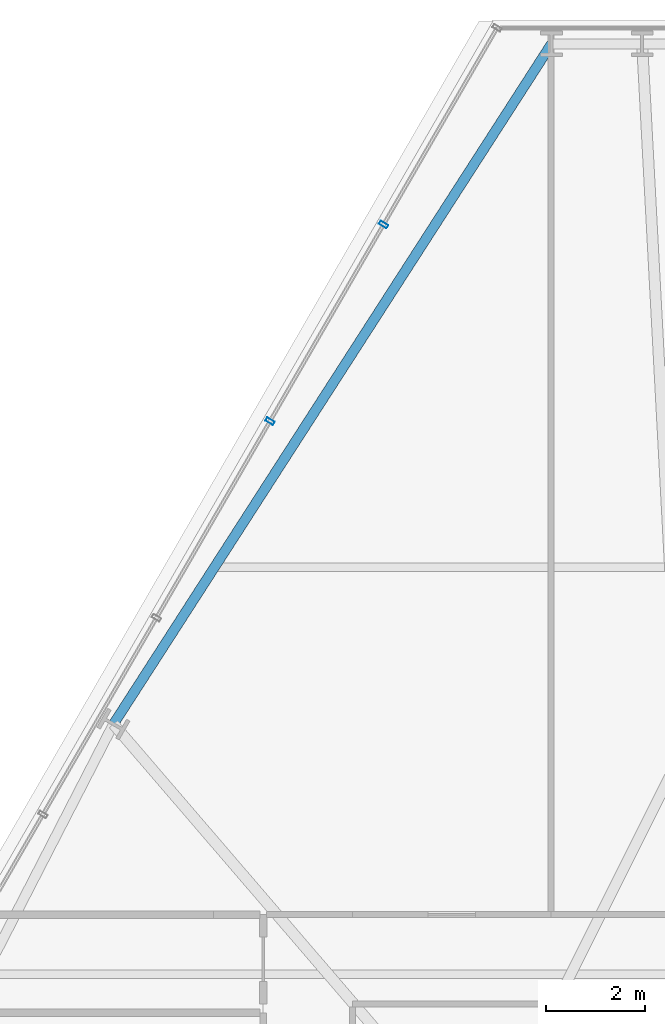
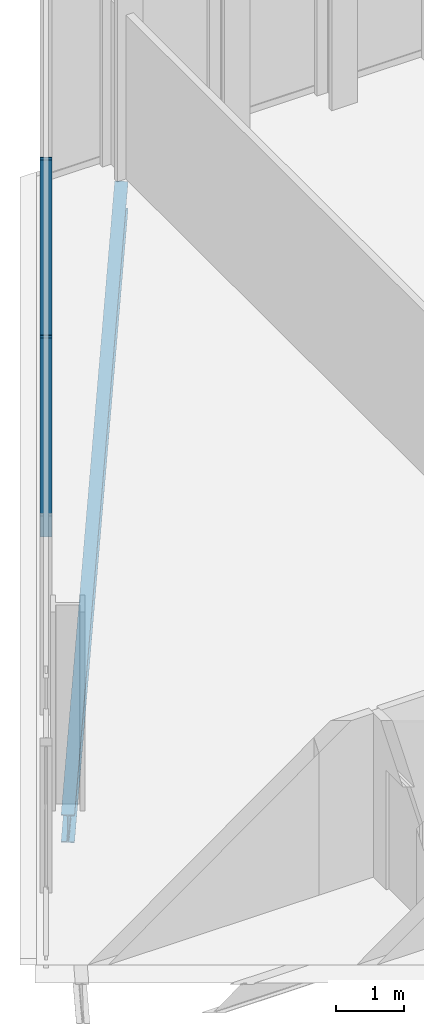
# One storey, part 22 of 32: 2 members, 1 beam, 1 element without a shape of its own.
"""IFC4 building model written with IfcOpenShell, lengths in metres."""

from ifc_helpers import new_model, si_unit, direction, frame, origin, origin_2d, place, context, subcontext, project, spatial, hollow_rectangle, i_section, extrude, material, layer, layer_set, material_profile, profile_set, type_object, element, aggregate, save


model = new_model("IFC4")

# Units and contexts
model_context = context("Model", 3, precision=1e-05, world=origin(), true_north=direction((0.0, 1.0)))
body_context = subcontext(model_context, "Body", "Model", "MODEL_VIEW")
ifc_project = project(units=[si_unit("LENGTHUNIT", "METRE"), si_unit("AREAUNIT", "SQUARE_METRE"), si_unit("VOLUMEUNIT", "CUBIC_METRE"), si_unit("PLANEANGLEUNIT", "RADIAN"), si_unit("MASSUNIT", "GRAM", prefix="KILO")], contexts=[model_context])

# Site, building, storey
site_placement = place(None, origin())
site = spatial("IfcSite", under=ifc_project, at=site_placement, CompositionType="ELEMENT")
building_placement = place(site_placement, origin())
building = spatial("IfcBuilding", under=site, at=building_placement, Name="Ndaravel Arena Tower", CompositionType="ELEMENT")
storey_placement = place(building_placement, frame((0.0, 0.0, 70.199951171875)))
storey = spatial("IfcBuildingStorey", under=building, at=storey_placement, Name="L15", CompositionType="ELEMENT", Elevation=70.199951171875)

# Beam
ifc_material_1 = material(Name="Steel S355", Category="steel")
ifc_material_profile_1 = material_profile(ifc_material_1, i_section(OverallWidth=0.199951171875, OverallDepth=0.5, WebThickness=0.01025390625, FlangeThickness=0.01611328125, FilletRadius=0.02099609375, at=origin_2d()), Name="IPE 500")
ifc_profile_set_1 = profile_set([ifc_material_profile_1], Name="Steel S355")
beam_type = type_object("IfcBeamType", Name="BM-SPAN-IPE500", PredefinedType="SPANDREL", material=ifc_profile_set_1)
beam_placement = place(storey_placement, frame((35.61083984375, 45.545654296875, -0.469970703125), z_axis=(-0.541382511268, -0.840776412903, 0.0), x_axis=(0.840776412903, -0.541382511268, 0.0)))
element("IfcBeam", 1, at=beam_placement, inside=storey, type_object=beam_type, Name="L15 Perimeter Spandrel Beam SP-18", PredefinedType="SPANDREL", context=body_context, shape_type="SweptSolid", body=[
    extrude(i_section(OverallWidth=0.199951171875, OverallDepth=0.5, WebThickness=0.01025390625, FlangeThickness=0.01611328125, FilletRadius=0.02099609375, at=origin_2d()), origin(), (0.0, 0.0, 1.0), 16.3056640625),
])

# Curtain wall, members
ifc_material_2 = material(Name="Aluminium", Category="aluminium")
ifc_layer = layer(ifc_material_2, 0.179931640625)
ifc_layer_set = layer_set([ifc_layer], Name="Aluminium")
curtain_wall_type = type_object("IfcCurtainWallType", Name="CW-SYS-03", PredefinedType="NOTDEFINED", material=ifc_layer_set)
curtain_wall_placement = place(storey_placement, origin())
curtain_wall = element("IfcCurtainWall", 2, at=curtain_wall_placement, inside=storey, type_object=curtain_wall_type, Name="L15 Faceted Crystal Curtain Wall CW-L15-E05", PredefinedType="NOTDEFINED")
ifc_material_3 = material(Name="Aluminium", Category="aluminium")
ifc_material_profile_2 = material_profile(ifc_material_3, hollow_rectangle(XDim=0.074951171875, YDim=0.179931640625, WallThickness=0.00390625, at=origin_2d()), Name="CW MULLION 75x180x4")
ifc_profile_set_2 = profile_set([ifc_material_profile_2], Name="Aluminium")
member_type = type_object("IfcMemberType", Name="MEM-CW-MUL180", PredefinedType="MULLION", material=ifc_profile_set_2)
member_1_placement = place(storey_placement, frame((32.2255859375, 41.903076171875, 0.0), z_axis=(0.0, 0.0, 1.0), x_axis=(-0.5, -0.866025403784, 0.0)))
member_1 = element("IfcMember", 3, at=member_1_placement, type_object=member_type, Name="CW-L15-E05 Mullion 01", PredefinedType="MULLION", context=body_context, shape_type="SweptSolid", body=[
    extrude(hollow_rectangle(XDim=0.074951171875, YDim=0.179931640625, WallThickness=0.00390625, at=origin_2d()), origin(), (0.0, 0.0, 1.0), 3.580078125),
])
member_2_placement = place(storey_placement, frame((29.937744140625, 37.940185546875, 0.0), z_axis=(0.0, 0.0, 1.0), x_axis=(-0.5, -0.866025403784, 0.0)))
member_2 = element("IfcMember", 4, at=member_2_placement, type_object=member_type, Name="CW-L15-E05 Mullion 02", PredefinedType="MULLION", context=body_context, shape_type="SweptSolid", body=[
    extrude(hollow_rectangle(XDim=0.074951171875, YDim=0.179931640625, WallThickness=0.00390625, at=origin_2d()), origin(), (0.0, 0.0, 1.0), 3.580078125),
])
aggregate(curtain_wall, [member_1, member_2])

save(model, "model.ifc")
